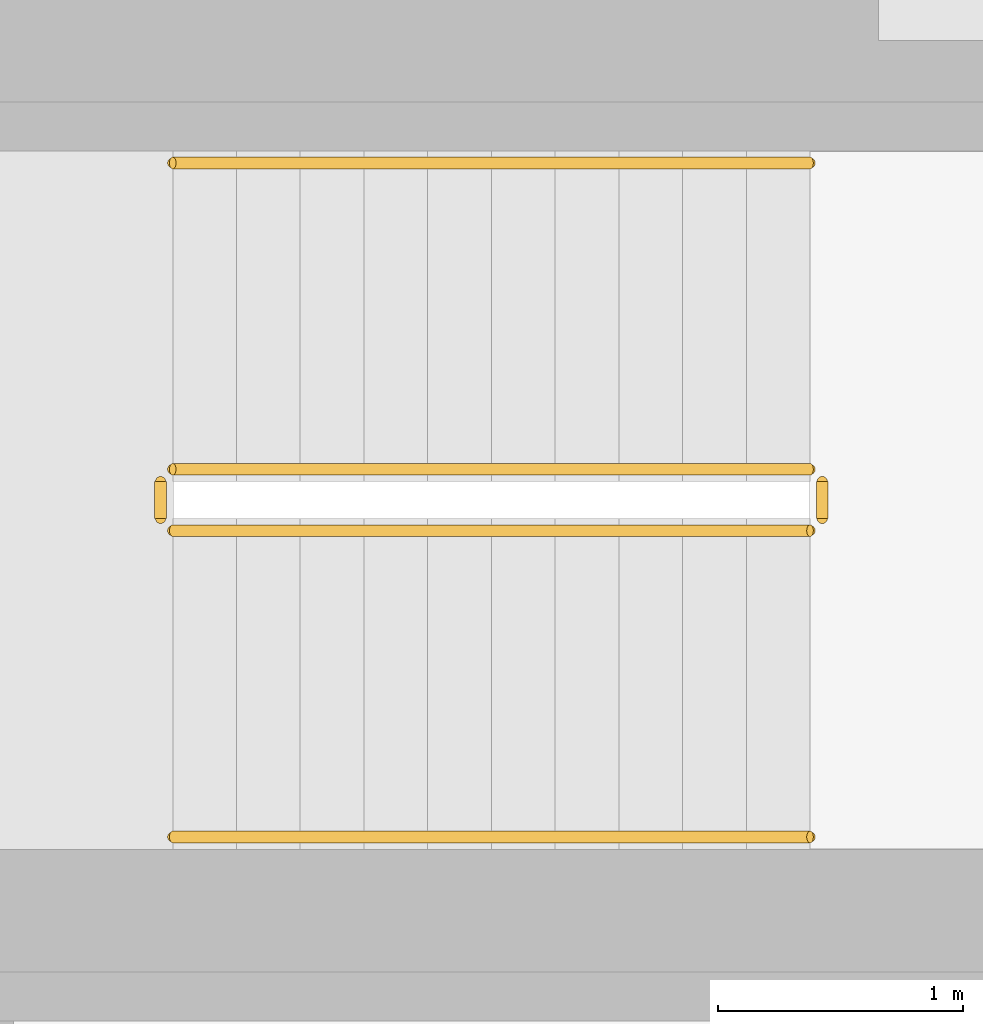
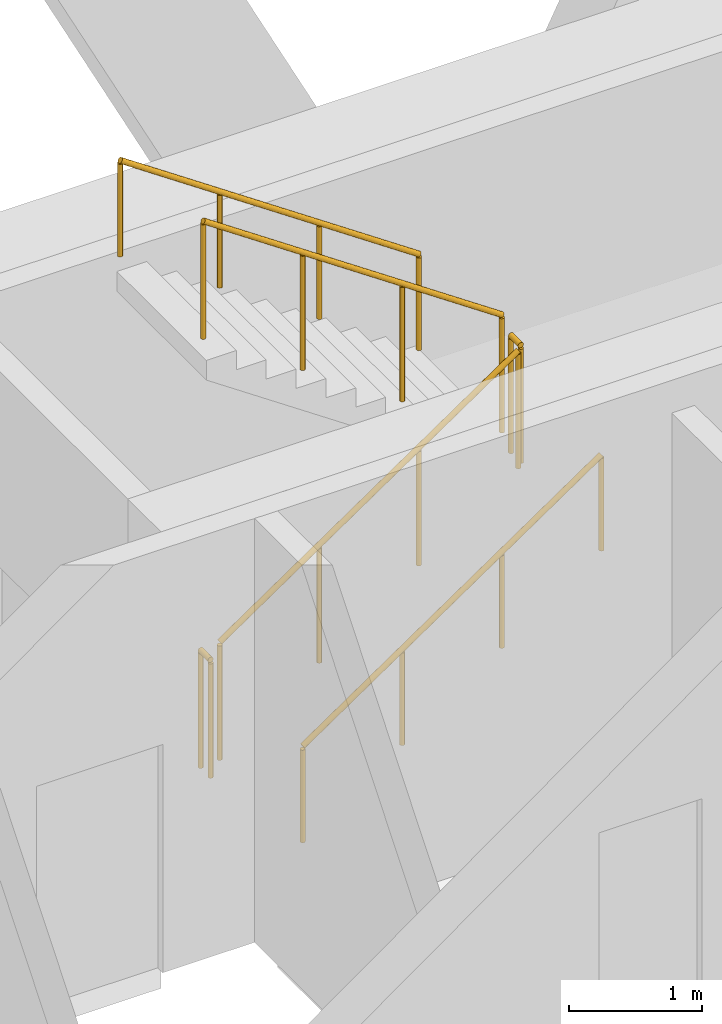
# One storey, part 8 of 8: 6 railings.
"""IFC4 building model written with IfcOpenShell, lengths in metres."""

from ifc_helpers import new_model, si_unit, direction, frame, origin, origin_2d, place, context, subcontext, project, spatial, circle, extrude, material, type_object, element, save


model = new_model("IFC4")

# Units and contexts
model_context = context("Model", 3, precision=1e-05, world=origin(), true_north=direction((0.0, 1.0)))
body_context = subcontext(model_context, "Body", "Model", "MODEL_VIEW")
ifc_project = project(units=[si_unit("LENGTHUNIT", "METRE"), si_unit("AREAUNIT", "SQUARE_METRE"), si_unit("VOLUMEUNIT", "CUBIC_METRE"), si_unit("PLANEANGLEUNIT", "RADIAN"), si_unit("MASSUNIT", "GRAM", prefix="KILO")], contexts=[model_context])

# Site, building, storey
site_placement = place(None, origin())
site = spatial("IfcSite", under=ifc_project, at=site_placement, CompositionType="ELEMENT")
building_placement = place(site_placement, origin())
building = spatial("IfcBuilding", under=site, at=building_placement, Name="White Candle Pilgrim Tower", CompositionType="ELEMENT")
storey_placement = place(building_placement, frame((0.0, 0.0, 283.39990234375)))
storey = spatial("IfcBuildingStorey", under=building, at=storey_placement, Name="L67", CompositionType="ELEMENT", Elevation=283.39990234375)

# Railings
ifc_material = material(Name="Stainless steel", Category="steel")
railing_type_1 = type_object("IfcRailingType", Name="Stair guard stainless steel 1100 mm", PredefinedType="GUARDRAIL", material=ifc_material)
railing_1_placement = place(storey_placement, frame((69.39990234375, 85.550048828125, 0.177490234375)))
element("IfcRailing", 1, at=railing_1_placement, inside=storey, type_object=railing_type_1, Name="L67 ST3 stair guard 1", PredefinedType="GUARDRAIL", context=body_context, shape_type="SweptSolid", body=[
    extrude(circle(Radius=0.02392578125, at=origin_2d()), frame((0.0, 0.0, 1.076171875), z_axis=(0.826240473404, 0.0, 0.563317565952), x_axis=(0.0, 1.0, 0.0)), (0.0, 0.0, 1.0), 3.14697265625),
    extrude(circle(Radius=0.02099609375, at=origin_2d()), origin(), (0.0, 0.0, 1.0), 1.052001953125),
    extrude(circle(Radius=0.02099609375, at=origin_2d()), frame((0.86669921875, 0.0, 0.5908203125)), (0.0, 0.0, 1.0), 1.052001953125),
    extrude(circle(Radius=0.02099609375, at=origin_2d()), frame((1.7333984375, 0.0, 1.181884765625)), (0.0, 0.0, 1.0), 1.052001953125),
    extrude(circle(Radius=0.02099609375, at=origin_2d()), frame((2.60009765625, 0.0, 1.772705078125)), (0.0, 0.0, 1.0), 1.052001953125),
])
railing_2_placement = place(storey_placement, frame((72.050048828125, 85.60009765625, 1.9501953125)))
element("IfcRailing", 2, at=railing_2_placement, inside=storey, type_object=railing_type_1, Name="L67 ST3 stair guard 2", PredefinedType="GUARDRAIL", context=body_context, shape_type="SweptSolid", body=[
    extrude(circle(Radius=0.02392578125, at=origin_2d()), frame((0.0, 0.0, 1.076171875), z_axis=(0.0, 1.0, 0.0), x_axis=(-1.0, 0.0, 0.0)), (0.0, 0.0, 1.0), 0.14990234375),
    extrude(circle(Radius=0.02099609375, at=origin_2d()), origin(), (0.0, 0.0, 1.0), 1.052001953125),
    extrude(circle(Radius=0.02099609375, at=origin_2d()), frame((0.0, 0.14990234375, 0.0)), (0.0, 0.0, 1.0), 1.052001953125),
])
railing_3_placement = place(storey_placement, frame((72.0, 85.800048828125, 2.12744140625)))
element("IfcRailing", 3, at=railing_3_placement, inside=storey, type_object=railing_type_1, Name="L67 ST3 stair guard 3", PredefinedType="GUARDRAIL", context=body_context, shape_type="SweptSolid", body=[
    extrude(circle(Radius=0.02392578125, at=origin_2d()), frame((0.0, 0.0, 1.076171875), z_axis=(-0.826240473404, 0.0, 0.563317565952), x_axis=(0.0, -1.0, 0.0)), (0.0, 0.0, 1.0), 3.14697265625),
    extrude(circle(Radius=0.02099609375, at=origin_2d()), origin(), (0.0, 0.0, 1.0), 1.052001953125),
    extrude(circle(Radius=0.02099609375, at=origin_2d()), frame((-0.86669921875, 0.0, 0.5908203125)), (0.0, 0.0, 1.0), 1.052001953125),
    extrude(circle(Radius=0.02099609375, at=origin_2d()), frame((-1.7333984375, 0.0, 1.181884765625)), (0.0, 0.0, 1.0), 1.052001953125),
    extrude(circle(Radius=0.02099609375, at=origin_2d()), frame((-2.60009765625, 0.0, 1.772705078125)), (0.0, 0.0, 1.0), 1.052001953125),
])
railing_4_placement = place(storey_placement, frame((69.35009765625, 85.60009765625, 0.0)))
element("IfcRailing", 4, at=railing_4_placement, inside=storey, type_object=railing_type_1, Name="L67 ST3 stair guard 4", PredefinedType="GUARDRAIL", context=body_context, shape_type="SweptSolid", body=[
    extrude(circle(Radius=0.02392578125, at=origin_2d()), frame((0.0, 0.0, 1.076171875), z_axis=(0.0, 1.0, 0.0), x_axis=(-1.0, 0.0, 0.0)), (0.0, 0.0, 1.0), 0.14990234375),
    extrude(circle(Radius=0.02099609375, at=origin_2d()), origin(), (0.0, 0.0, 1.0), 1.052001953125),
    extrude(circle(Radius=0.02099609375, at=origin_2d()), frame((0.0, 0.14990234375, 0.0)), (0.0, 0.0, 1.0), 1.052001953125),
])
railing_type_2 = type_object("IfcRailingType", Name="Stair handrail stainless steel", PredefinedType="HANDRAIL", material=ifc_material)
railing_5_placement = place(storey_placement, frame((69.39990234375, 84.300048828125, 0.177490234375)))
element("IfcRailing", 5, at=railing_5_placement, inside=storey, type_object=railing_type_2, Name="L67 ST3 stair handrail 1", PredefinedType="HANDRAIL", context=body_context, shape_type="SweptSolid", body=[
    extrude(circle(Radius=0.02392578125, at=origin_2d()), frame((0.0, 0.0, 0.8759765625), z_axis=(0.826240473404, 0.0, 0.563317565952), x_axis=(0.0, 1.0, 0.0)), (0.0, 0.0, 1.0), 3.14697265625),
    extrude(circle(Radius=0.02099609375, at=origin_2d()), origin(), (0.0, 0.0, 1.0), 0.851806640625),
    extrude(circle(Radius=0.02099609375, at=origin_2d()), frame((0.86669921875, 0.0, 0.5908203125)), (0.0, 0.0, 1.0), 0.851806640625),
    extrude(circle(Radius=0.02099609375, at=origin_2d()), frame((1.7333984375, 0.0, 1.181884765625)), (0.0, 0.0, 1.0), 0.851806640625),
    extrude(circle(Radius=0.02099609375, at=origin_2d()), frame((2.60009765625, 0.0, 1.772705078125)), (0.0, 0.0, 1.0), 0.851806640625),
])
railing_6_placement = place(storey_placement, frame((72.0, 87.050048828125, 2.12744140625)))
element("IfcRailing", 6, at=railing_6_placement, inside=storey, type_object=railing_type_2, Name="L67 ST3 stair handrail 2", PredefinedType="HANDRAIL", context=body_context, shape_type="SweptSolid", body=[
    extrude(circle(Radius=0.02392578125, at=origin_2d()), frame((0.0, 0.0, 0.8759765625), z_axis=(-0.826240473404, 0.0, 0.563317565952), x_axis=(0.0, -1.0, 0.0)), (0.0, 0.0, 1.0), 3.14697265625),
    extrude(circle(Radius=0.02099609375, at=origin_2d()), origin(), (0.0, 0.0, 1.0), 0.851806640625),
    extrude(circle(Radius=0.02099609375, at=origin_2d()), frame((-0.86669921875, 0.0, 0.5908203125)), (0.0, 0.0, 1.0), 0.851806640625),
    extrude(circle(Radius=0.02099609375, at=origin_2d()), frame((-1.7333984375, 0.0, 1.181884765625)), (0.0, 0.0, 1.0), 0.851806640625),
    extrude(circle(Radius=0.02099609375, at=origin_2d()), frame((-2.60009765625, 0.0, 1.772705078125)), (0.0, 0.0, 1.0), 0.851806640625),
])

save(model, "model.ifc")
